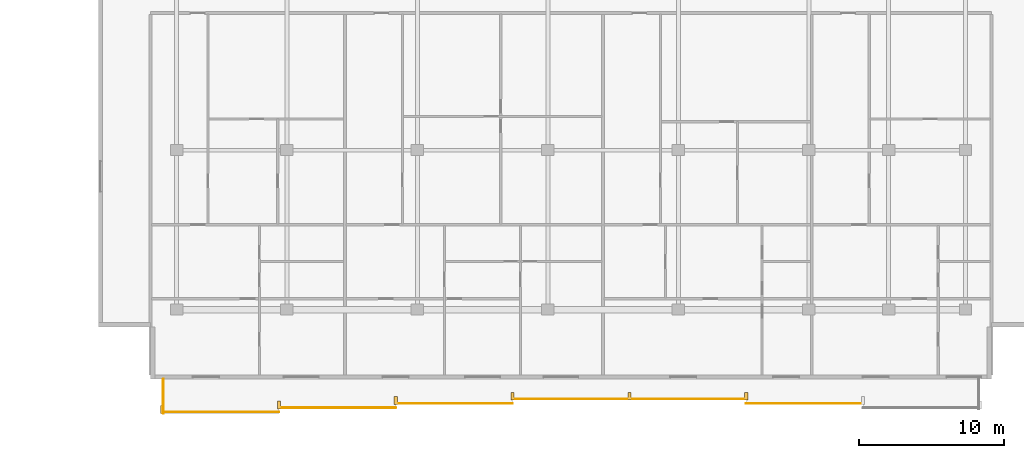
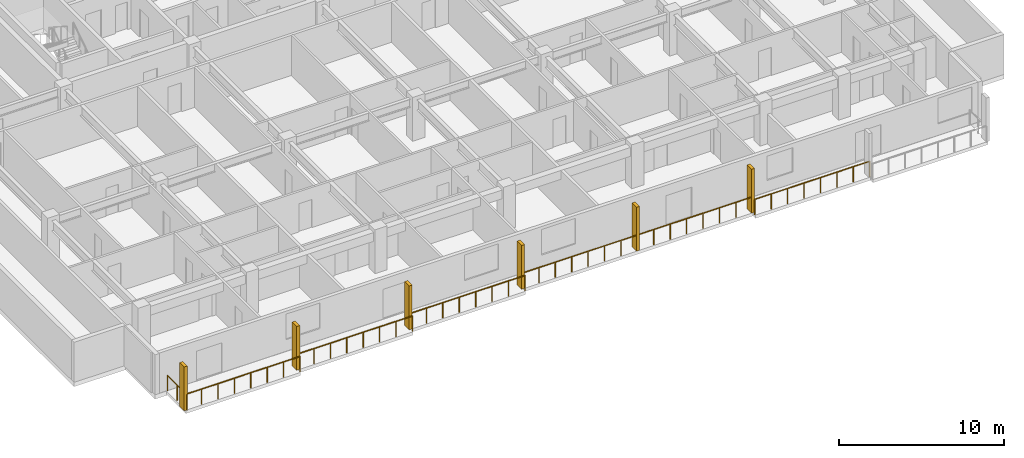
# One storey, part 18 of 22: 6 railings, 6 shading devices.
"""IFC4 building model written with IfcOpenShell, lengths in metres."""

from ifc_helpers import new_model, si_unit, direction, frame, origin, origin_2d, place, context, subcontext, project, spatial, rectangle, circle, extrude, material, type_object, element, save


model = new_model("IFC4")

# Units and contexts
model_context = context("Model", 3, precision=1e-05, world=origin(), true_north=direction((0.0, 1.0)))
body_context = subcontext(model_context, "Body", "Model", "MODEL_VIEW")
ifc_project = project(units=[si_unit("LENGTHUNIT", "METRE"), si_unit("AREAUNIT", "SQUARE_METRE"), si_unit("VOLUMEUNIT", "CUBIC_METRE"), si_unit("PLANEANGLEUNIT", "RADIAN"), si_unit("MASSUNIT", "GRAM", prefix="KILO")], contexts=[model_context])

# Site, building, storey
site_placement = place(None, origin())
site = spatial("IfcSite", under=ifc_project, at=site_placement, CompositionType="ELEMENT")
building_placement = place(site_placement, origin())
building = spatial("IfcBuilding", under=site, at=building_placement, Name="Korimba Cascade Residences", CompositionType="ELEMENT")
storey_placement = place(building_placement, frame((0.0, 0.0, 80.800048828125)))
storey = spatial("IfcBuildingStorey", under=building, at=storey_placement, Name="L22", CompositionType="ELEMENT", Elevation=80.800048828125)

# Railings
ifc_material_1 = material(Name="Laminated Glass and Bronze Balustrade", Category="glass")
railing_type = type_object("IfcRailingType", Name="RLG-LOG-1150", PredefinedType="BALUSTRADE", material=ifc_material_1)
for number, where, name in (
    (1, (73.5, -11.27001953125, 0.0), "L22 Perimeter Guardrail RLG-L22-T2-LOG-01"),
    (2, (81.55712890625, -10.969970703125, 0.0), "L22 Perimeter Guardrail RLG-L22-T2-LOG-02"),
    (3, (89.6142578125, -10.669921875, 0.0), "L22 Perimeter Guardrail RLG-L22-T2-LOG-03"),
):
    element("IfcRailing", number, at=place(storey_placement, frame(where)), inside=storey, type_object=railing_type, Name=name, PredefinedType="BALUSTRADE", context=body_context, shape_type="SweptSolid", body=[
        extrude(circle(Radius=0.02392578125, at=origin_2d()), frame((0.0, 0.0, 1.1259765625), z_axis=(1.0, 0.0, 0.0), x_axis=(0.0, 1.0, 0.0)), (0.0, 0.0, 1.0), 8.05712890625),
        extrude(circle(Radius=0.02099609375, at=origin_2d()), origin(), (0.0, 0.0, 1.0), 1.101806640625),
        extrude(circle(Radius=0.02099609375, at=origin_2d()), frame((1.151123046875, 0.0, 0.0)), (0.0, 0.0, 1.0), 1.101806640625),
        extrude(circle(Radius=0.02099609375, at=origin_2d()), frame((2.302001953125, 0.0, 0.0)), (0.0, 0.0, 1.0), 1.101806640625),
        extrude(circle(Radius=0.02099609375, at=origin_2d()), frame((3.453125, 0.0, 0.0)), (0.0, 0.0, 1.0), 1.101806640625),
        extrude(circle(Radius=0.02099609375, at=origin_2d()), frame((4.60400390625, 0.0, 0.0)), (0.0, 0.0, 1.0), 1.101806640625),
        extrude(circle(Radius=0.02099609375, at=origin_2d()), frame((5.755126953125, 0.0, 0.0)), (0.0, 0.0, 1.0), 1.101806640625),
        extrude(circle(Radius=0.02099609375, at=origin_2d()), frame((6.906005859375, 0.0, 0.0)), (0.0, 0.0, 1.0), 1.101806640625),
        extrude(circle(Radius=0.02099609375, at=origin_2d()), frame((8.05712890625, 0.0, 0.0)), (0.0, 0.0, 1.0), 1.101806640625),
    ])
railing_1_placement = place(storey_placement, frame((97.67138671875, -10.3701171875, 0.0)))
element("IfcRailing", 4, at=railing_1_placement, inside=storey, type_object=railing_type, Name="L22 Perimeter Guardrail RLG-L22-T2-LOG-04", PredefinedType="BALUSTRADE", context=body_context, shape_type="SweptSolid", body=[
    extrude(circle(Radius=0.02392578125, at=origin_2d()), frame((0.0, 0.0, 1.1259765625), z_axis=(1.0, 0.0, 0.0), x_axis=(0.0, 1.0, 0.0)), (0.0, 0.0, 1.0), 16.1142578125),
    extrude(circle(Radius=0.02099609375, at=origin_2d()), origin(), (0.0, 0.0, 1.0), 1.101806640625),
    extrude(circle(Radius=0.02099609375, at=origin_2d()), frame((1.151123046875, 0.0, 0.0)), (0.0, 0.0, 1.0), 1.101806640625),
    extrude(circle(Radius=0.02099609375, at=origin_2d()), frame((2.302001953125, 0.0, 0.0)), (0.0, 0.0, 1.0), 1.101806640625),
    extrude(circle(Radius=0.02099609375, at=origin_2d()), frame((3.453125, 0.0, 0.0)), (0.0, 0.0, 1.0), 1.101806640625),
    extrude(circle(Radius=0.02099609375, at=origin_2d()), frame((4.60400390625, 0.0, 0.0)), (0.0, 0.0, 1.0), 1.101806640625),
    extrude(circle(Radius=0.02099609375, at=origin_2d()), frame((5.755126953125, 0.0, 0.0)), (0.0, 0.0, 1.0), 1.101806640625),
    extrude(circle(Radius=0.02099609375, at=origin_2d()), frame((6.906005859375, 0.0, 0.0)), (0.0, 0.0, 1.0), 1.101806640625),
    extrude(circle(Radius=0.02099609375, at=origin_2d()), frame((8.05712890625, 0.0, 0.0)), (0.0, 0.0, 1.0), 1.101806640625),
    extrude(circle(Radius=0.02099609375, at=origin_2d()), frame((9.208251953125, 0.0, 0.0)), (0.0, 0.0, 1.0), 1.101806640625),
    extrude(circle(Radius=0.02099609375, at=origin_2d()), frame((10.359130859375, 0.0, 0.0)), (0.0, 0.0, 1.0), 1.101806640625),
    extrude(circle(Radius=0.02099609375, at=origin_2d()), frame((11.51025390625, 0.0, 0.0)), (0.0, 0.0, 1.0), 1.101806640625),
    extrude(circle(Radius=0.02099609375, at=origin_2d()), frame((12.6611328125, 0.0, 0.0)), (0.0, 0.0, 1.0), 1.101806640625),
    extrude(circle(Radius=0.02099609375, at=origin_2d()), frame((13.812255859375, 0.0, 0.0)), (0.0, 0.0, 1.0), 1.101806640625),
    extrude(circle(Radius=0.02099609375, at=origin_2d()), frame((14.963134765625, 0.0, 0.0)), (0.0, 0.0, 1.0), 1.101806640625),
    extrude(circle(Radius=0.02099609375, at=origin_2d()), frame((16.1142578125, 0.0, 0.0)), (0.0, 0.0, 1.0), 1.101806640625),
])
railing_2_placement = place(storey_placement, frame((113.78564453125, -10.669921875, 0.0)))
element("IfcRailing", 5, at=railing_2_placement, inside=storey, type_object=railing_type, Name="L22 Perimeter Guardrail RLG-L22-T2-LOG-05", PredefinedType="BALUSTRADE", context=body_context, shape_type="SweptSolid", body=[
    extrude(circle(Radius=0.02392578125, at=origin_2d()), frame((0.0, 0.0, 1.1259765625), z_axis=(1.0, 0.0, 0.0), x_axis=(0.0, 1.0, 0.0)), (0.0, 0.0, 1.0), 8.057373046875),
    extrude(circle(Radius=0.02099609375, at=origin_2d()), origin(), (0.0, 0.0, 1.0), 1.101806640625),
    extrude(circle(Radius=0.02099609375, at=origin_2d()), frame((1.151123046875, 0.0, 0.0)), (0.0, 0.0, 1.0), 1.101806640625),
    extrude(circle(Radius=0.02099609375, at=origin_2d()), frame((2.302001953125, 0.0, 0.0)), (0.0, 0.0, 1.0), 1.101806640625),
    extrude(circle(Radius=0.02099609375, at=origin_2d()), frame((3.453125, 0.0, 0.0)), (0.0, 0.0, 1.0), 1.101806640625),
    extrude(circle(Radius=0.02099609375, at=origin_2d()), frame((4.604248046875, 0.0, 0.0)), (0.0, 0.0, 1.0), 1.101806640625),
    extrude(circle(Radius=0.02099609375, at=origin_2d()), frame((5.75537109375, 0.0, 0.0)), (0.0, 0.0, 1.0), 1.101806640625),
    extrude(circle(Radius=0.02099609375, at=origin_2d()), frame((6.90625, 0.0, 0.0)), (0.0, 0.0, 1.0), 1.101806640625),
    extrude(circle(Radius=0.02099609375, at=origin_2d()), frame((8.057373046875, 0.0, 0.0)), (0.0, 0.0, 1.0), 1.101806640625),
])
railing_3_placement = place(storey_placement, frame((73.580078125, -9.0, 0.0)))
element("IfcRailing", 6, at=railing_3_placement, inside=storey, type_object=railing_type, Name="L22 Perimeter Guardrail RLG-L22-T2-LOG-08", PredefinedType="BALUSTRADE", context=body_context, shape_type="SweptSolid", body=[
    extrude(circle(Radius=0.02392578125, at=origin_2d()), frame((0.0, 0.0, 1.1259765625), z_axis=(0.0, -1.0, 0.0), x_axis=(1.0, 0.0, 0.0)), (0.0, 0.0, 1.0), 2.35009765625),
    extrude(circle(Radius=0.02099609375, at=origin_2d()), origin(), (0.0, 0.0, 1.0), 1.101806640625),
    extrude(circle(Radius=0.02099609375, at=origin_2d()), frame((0.0, -1.175048828125, 0.0)), (0.0, 0.0, 1.0), 1.101806640625),
    extrude(circle(Radius=0.02099609375, at=origin_2d()), frame((0.0, -2.35009765625, 0.0)), (0.0, 0.0, 1.0), 1.101806640625),
])

# Shading devices
ifc_material_2 = material(Name="Honed Sandstone Precast Fin", Category="masonry")
shading_device_type = type_object("IfcShadingDeviceType", Name="SHD-FIN-550", PredefinedType="USERDEFINED", material=ifc_material_2)
for number, where, z_axis, x_axis, name in (
    (7, (73.5, -11.074951171875, 0.0), (0.0, 0.0, 1.0), (1.0, 0.0, 0.0), "L22 T2 Warm-Stone Loggia Fin 1"),
    (8, (81.55712890625, -10.77490234375, 0.0), (0.0, 0.0, 1.0), (1.0, 0.0, 0.0), "L22 T2 Warm-Stone Loggia Fin 2"),
    (9, (89.6142578125, -10.47509765625, 0.0), (0.0, 0.0, 1.0), (1.0, 0.0, 0.0), "L22 T2 Warm-Stone Loggia Fin 3"),
    (10, (97.67138671875, -10.175048828125, 0.0), (0.0, 0.0, 1.0), (1.0, 0.0, 0.0), "L22 T2 Warm-Stone Loggia Fin 4"),
    (11, (105.728515625, -10.175048828125, 0.0), (0.0, 0.0, 1.0), (1.0, 0.0, 0.0), "L22 T2 Warm-Stone Loggia Fin 5"),
    (12, (113.78564453125, -10.175048828125, 0.0), (0.0, 0.0, 1.0), (1.0, 0.0, 0.0), "L22 T2 Warm-Stone Loggia Fin 6"),
):
    element("IfcShadingDevice", number, at=place(storey_placement, frame(where, z_axis=z_axis, x_axis=x_axis)), inside=storey, type_object=shading_device_type, Name=name, ObjectType="FIN", PredefinedType="USERDEFINED", context=body_context, shape_type="SweptSolid", body=[
        extrude(rectangle(XDim=0.219970703125, YDim=0.550048828125, at=origin_2d()), origin(), (0.0, 0.0, 1.0), 3.25),
    ])

save(model, "model.ifc")
